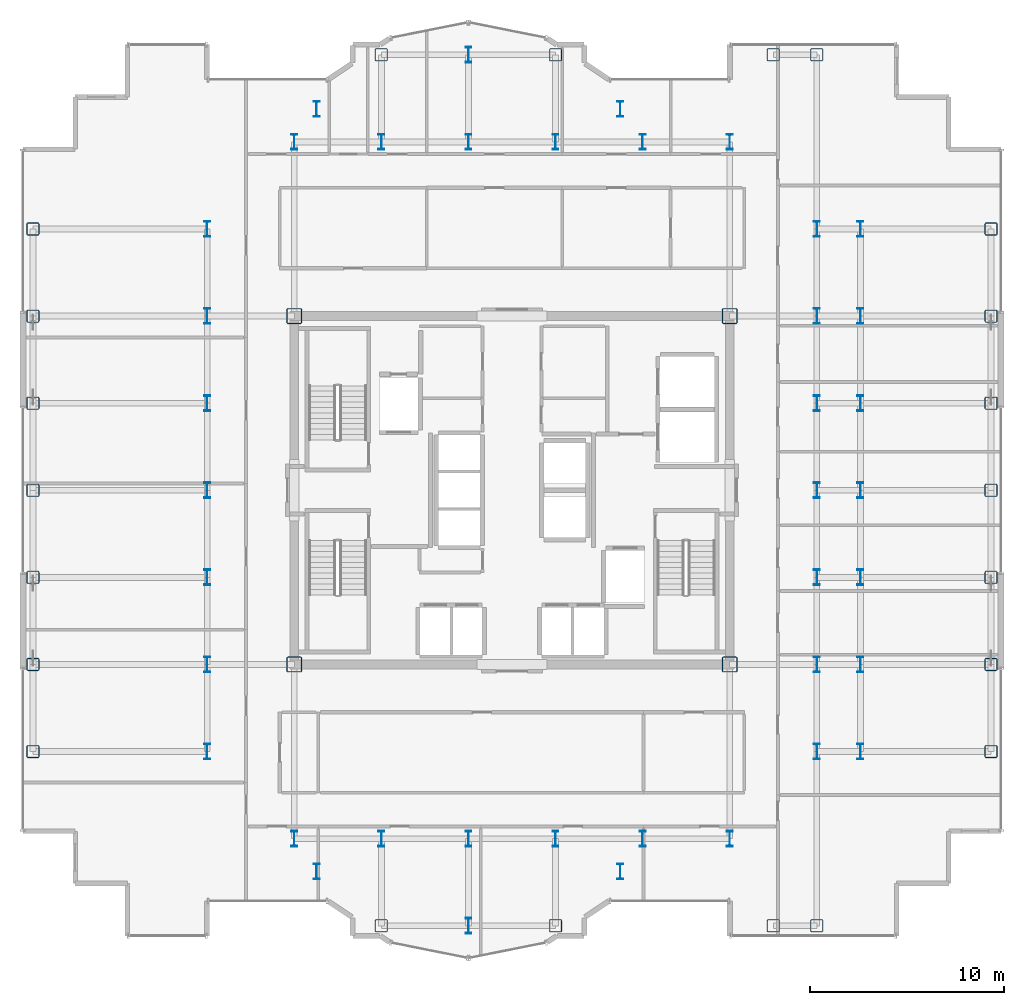
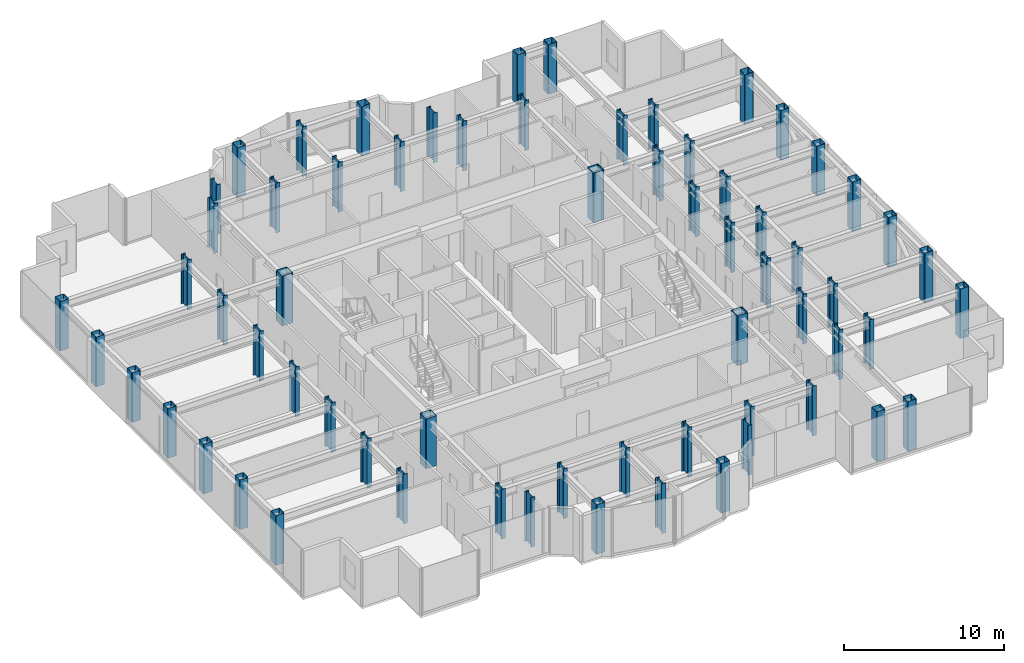
# One storey, part 1 of 21: 65 columns.
"""IFC4 building model written with IfcOpenShell, lengths in metres."""

import ifcopenshell
import ifcopenshell.guid

model = None  # the IFC model being written
_history = None  # IfcOwnerHistory: only IFC2X3 demands one
_inside = {}  # id of a spatial element -> (the spatial element, [elements in it])
_under = {}  # id of a project, library or spatial element -> (it, [spatial elements below it])
_declared = {}  # id of a project -> (the project, [libraries it declares])
_typed = {}  # id of a type object -> (the type object, [elements of that type])
_made_of = {}  # id of a material, layer set ... -> (it, [elements and type objects made of it])


def new_model(schema):
    """Start an empty IFC model of exactly this schema.

    Asked for "IFC4X3", IfcOpenShell would pick the latest addendum, in which some entities
    have other attributes; the version numbers below select the first issue.
    IFC2X3 requires an IfcOwnerHistory on every rooted entity: one is made here for all.
    """
    global model, _history
    if schema == "IFC4X3":
        model = ifcopenshell.file(schema_version=(4, 3, 0, 0))
    else:
        model = ifcopenshell.file(schema=schema)
    _inside.clear()
    _under.clear()
    _declared.clear()
    _typed.clear()
    _made_of.clear()
    _history = None
    if model.schema == "IFC2X3":
        org = make("IfcOrganization", Name="unknown")
        user = make(
            "IfcPersonAndOrganization",
            ThePerson=make("IfcPerson", FamilyName="unknown"),
            TheOrganization=org,
        )
        app = make(
            "IfcApplication",
            ApplicationDeveloper=org,
            Version="unknown",
            ApplicationFullName="unknown",
            ApplicationIdentifier="unknown",
        )
        _history = make(
            "IfcOwnerHistory",
            OwningUser=user,
            OwningApplication=app,
            ChangeAction="ADDED",
            CreationDate=0,
        )
    return model


def make(cls, **values):
    """One entity of the class cls with the attributes given. An attribute that is None is left unset."""
    return model.create_entity(
        cls, **{name: value for name, value in values.items() if value is not None}
    )


def rooted(cls, **values):
    """An entity with a GlobalId (a new one), such as an element, a storey or a relation."""
    return make(cls, GlobalId=ifcopenshell.guid.new(), OwnerHistory=_history, **values)


def si_unit(unit_type, name, prefix=None):
    """IfcSIUnit, for example si_unit("LENGTHUNIT", "METRE", prefix="MILLI")."""
    return make("IfcSIUnit", UnitType=unit_type, Prefix=prefix, Name=name)


def assignment(units):
    """IfcUnitAssignment: the units of a project."""
    return None if units is None else make("IfcUnitAssignment", Units=units)


def point(xyz):
    """IfcCartesianPoint."""
    return None if xyz is None else make("IfcCartesianPoint", Coordinates=xyz)


def direction(xyz):
    """IfcDirection."""
    return None if xyz is None else make("IfcDirection", DirectionRatios=xyz)


def frame(location, z_axis=None, x_axis=None):
    """IfcAxis2Placement3D, a coordinate frame: its origin and axes. An axis left out is left unset."""
    return make(
        "IfcAxis2Placement3D",
        Location=point(location),
        Axis=direction(z_axis),
        RefDirection=direction(x_axis),
    )


def frame_2d(location, x_axis=None):
    """IfcAxis2Placement2D, a coordinate frame in the plane: its origin and x axis."""
    return make(
        "IfcAxis2Placement2D", Location=point(location), RefDirection=direction(x_axis)
    )


def origin():
    """The frame at (0, 0, 0) with its axes left unset."""
    return frame((0.0, 0.0, 0.0))


def origin_2d():
    """The frame at (0, 0) in the plane with its x axis left unset."""
    return frame_2d((0.0, 0.0))


def place(relative_to, where):
    """IfcLocalPlacement: puts the frame where relative to a parent placement (None: the world)."""
    return make(
        "IfcLocalPlacement", PlacementRelTo=relative_to, RelativePlacement=where
    )


def context(
    kind, dimensions, precision=None, world=None, true_north=None, identifier=None
):
    """IfcGeometricRepresentationContext, for example the 3D "Model" context."""
    return make(
        "IfcGeometricRepresentationContext",
        ContextIdentifier=identifier,
        ContextType=kind,
        CoordinateSpaceDimension=dimensions,
        Precision=precision,
        WorldCoordinateSystem=world,
        TrueNorth=true_north,
    )


def subcontext(parent, identifier, kind, view, scale=None):
    """IfcGeometricRepresentationSubContext, for example "Body" below "Model"."""
    return make(
        "IfcGeometricRepresentationSubContext",
        ContextIdentifier=identifier,
        ContextType=kind,
        ParentContext=parent,
        TargetScale=scale,
        TargetView=view,
    )


def project(units=None, contexts=None):
    """IfcProject with its units and contexts."""
    return rooted(
        "IfcProject",
        Name="project",
        RepresentationContexts=contexts,
        UnitsInContext=assignment(units),
    )


def spatial(cls, under=None, at=None, **own):
    """A site, building, storey or space (cls), placed at a placement, below another one or the project."""
    s = rooted(cls, ObjectPlacement=at, **own)
    if under is not None:
        _under.setdefault(under.id(), (under, []))[1].append(s)
    return s


def profile(cls, at=None, kind="AREA", **sizes):
    """A parametric profile (cls). Its sizes go by their IFC names, for example OverallWidth=200.0."""
    return make(cls, ProfileType=kind, Position=at, **sizes)


def hollow_rectangle(**sizes):
    """IfcRectangleHollowProfileDef."""
    return profile("IfcRectangleHollowProfileDef", **sizes)


def i_section(**sizes):
    """IfcIShapeProfileDef."""
    return profile("IfcIShapeProfileDef", **sizes)


def extrude(swept, where, along, depth):
    """IfcExtrudedAreaSolid: the profile swept, set in the frame where, extruded along a direction by depth."""
    return make(
        "IfcExtrudedAreaSolid",
        SweptArea=swept,
        Position=where,
        ExtrudedDirection=direction(along),
        Depth=depth,
    )


def shape(context_of_items, identifier, shape_type, items):
    """IfcShapeRepresentation: the items that make up one representation, for example the "Body"."""
    return make(
        "IfcShapeRepresentation",
        ContextOfItems=context_of_items,
        RepresentationIdentifier=identifier,
        RepresentationType=shape_type,
        Items=items,
    )


def source(mapping_origin, context_of_items, identifier, shape_type, items):
    """IfcRepresentationMap: a shape defined once, which mapped items show again and again."""
    return make(
        "IfcRepresentationMap",
        MappingOrigin=mapping_origin,
        MappedRepresentation=shape(context_of_items, identifier, shape_type, items),
    )


def transform(
    local_origin,
    x_axis=None,
    y_axis=None,
    z_axis=None,
    scale=None,
    scale2=None,
    scale3=None,
    uniform=True,
):
    """IfcCartesianTransformationOperator3D, or its non-uniform kind. x_axis, y_axis, z_axis: its Axis1, 2, 3."""
    if uniform:
        return make(
            "IfcCartesianTransformationOperator3D",
            Axis1=direction(x_axis),
            Axis2=direction(y_axis),
            LocalOrigin=point(local_origin),
            Scale=scale,
            Axis3=direction(z_axis),
        )
    return make(
        "IfcCartesianTransformationOperator3DnonUniform",
        Axis1=direction(x_axis),
        Axis2=direction(y_axis),
        LocalOrigin=point(local_origin),
        Scale=scale,
        Axis3=direction(z_axis),
        Scale2=scale2,
        Scale3=scale3,
    )


def mapped(mapping_source, mapping_target):
    """IfcMappedItem: shows the shape of a source again, moved by a transform."""
    return make(
        "IfcMappedItem", MappingSource=mapping_source, MappingTarget=mapping_target
    )


def material(Name=None, Category=None):
    """IfcMaterial."""
    return make("IfcMaterial", Name=Name, Category=Category)


def material_profile(
    of_material, cross_section, Name=None, Category=None, Priority=None
):
    """IfcMaterialProfile: a cross section and its material."""
    return make(
        "IfcMaterialProfile",
        Name=Name,
        Material=of_material,
        Profile=cross_section,
        Priority=Priority,
        Category=Category,
    )


def profile_set(profiles, Name=None, composite=None):
    """IfcMaterialProfileSet."""
    return make(
        "IfcMaterialProfileSet",
        Name=Name,
        MaterialProfiles=profiles,
        CompositeProfile=composite,
    )


def made_of(thing, what):
    """Note that an element or type object is made of a material, layer set ...; save() writes the relation."""
    if what is not None:
        _made_of.setdefault(what.id(), (what, []))[1].append(thing)
    return thing


def type_object(cls, material=None, **own):
    """A type object (cls), such as IfcWallType, which elements share."""
    return made_of(rooted(cls, **own), material)


def element(
    cls,
    number,
    at=None,
    inside=None,
    cuts=None,
    type_object=None,
    material=None,
    context=None,
    identifier="Body",
    shape_type=None,
    held_by="IfcProductDefinitionShape",
    body=None,
    shapes=None,
    **own,
):
    """One element of the class cls, such as IfcWall. Its Tag is "e" and its number.

    at: its placement. inside: the storey or other place that contains it. cuts: it is an
    opening in that element (IfcRelVoidsElement). A single representation is given by context,
    identifier, shape_type and body (its items); several are given by shapes. held_by: the class
    of the entity that holds the representations. save() writes the other relations.
    """
    e = rooted(cls, Tag="e%d" % number, ObjectPlacement=at, **own)
    if body is not None:
        shapes = [shape(context, identifier, shape_type, body)]
    if shapes is not None:
        e.Representation = make(held_by, Representations=shapes)
    if inside is not None:
        _inside.setdefault(inside.id(), (inside, []))[1].append(e)
    if cuts is not None:
        rooted(
            "IfcRelVoidsElement", RelatingBuildingElement=cuts, RelatedOpeningElement=e
        )
    if type_object is not None:
        _typed.setdefault(type_object.id(), (type_object, []))[1].append(e)
    return made_of(e, material)


def aggregate(whole, parts):
    """IfcRelAggregates: a whole, such as a stair, and the parts it consists of."""
    return rooted("IfcRelAggregates", RelatingObject=whole, RelatedObjects=parts)


def save(model, path):
    """Write the relations noted so far, then the file.

    IfcRelAggregates (storeys below a building ...), IfcRelContainedInSpatialStructure (elements
    in a storey), IfcRelDefinesByType, IfcRelAssociatesMaterial and IfcRelDeclares: one each for
    every whole, place, type object, material and project.
    """
    for whole, parts in _under.values():
        aggregate(whole, parts)
    for where, things in _inside.values():
        rooted(
            "IfcRelContainedInSpatialStructure",
            RelatedElements=things,
            RelatingStructure=where,
        )
    for kind, things in _typed.values():
        rooted("IfcRelDefinesByType", RelatedObjects=things, RelatingType=kind)
    for what, things in _made_of.values():
        rooted("IfcRelAssociatesMaterial", RelatedObjects=things, RelatingMaterial=what)
    for by, libraries in _declared.values():
        rooted("IfcRelDeclares", RelatingContext=by, RelatedDefinitions=libraries)
    model.write(path)


model = new_model("IFC4")

# Units and contexts
model_context = context("Model", 3, precision=1e-05, world=origin(), true_north=direction((0.0, 1.0)))
body_context = subcontext(model_context, "Body", "Model", "MODEL_VIEW")
ifc_project = project(units=[si_unit("LENGTHUNIT", "METRE"), si_unit("AREAUNIT", "SQUARE_METRE"), si_unit("VOLUMEUNIT", "CUBIC_METRE"), si_unit("PLANEANGLEUNIT", "RADIAN"), si_unit("MASSUNIT", "GRAM", prefix="KILO")], contexts=[model_context])

# Site, building, storey
site_placement = place(None, origin())
site = spatial("IfcSite", under=ifc_project, at=site_placement, CompositionType="ELEMENT")
building_placement = place(site_placement, origin())
building = spatial("IfcBuilding", under=site, at=building_placement, Name="Nefas-Gora Pilgrimage Tower", CompositionType="ELEMENT")
storey_placement = place(building_placement, frame((0.0, 0.0, 252.199951171875)))
storey = spatial("IfcBuildingStorey", under=building, at=storey_placement, Name="L63", CompositionType="ELEMENT", Elevation=252.199951171875)

# Columns
ifc_material = material(Name="Steel S460", Category="steel")
ifc_material_profile_1 = material_profile(ifc_material, i_section(OverallWidth=0.302978515625, OverallDepth=0.81396484375, WebThickness=0.02099609375, FlangeThickness=0.0400390625, FilletRadius=0.030029296875, at=origin_2d()), Name="HEM 800")
ifc_profile_set_1 = profile_set([ifc_material_profile_1], Name="Steel S460")
column_type_1 = type_object("IfcColumnType", Name="COL-WEB-HEM800", PredefinedType="COLUMN", material=ifc_profile_set_1)
shared_shape_1 = source(origin(), body_context, "Body", "SweptSolid", [
    extrude(i_section(OverallWidth=0.302978515625, OverallDepth=0.81396484375, WebThickness=0.02099609375, FlangeThickness=0.0400390625, FilletRadius=0.030029296875, at=origin_2d()), origin(), (0.0, 0.0, 1.0), 3.800048828125),
])
for number, where, z_axis, x_axis, name in (
    (1, (-15.75, -13.5, 0.0), (0.0, 0.0, 1.0), (1.0, 0.0, 0.0), "L63 Tower Column CW-02.8"),
    (2, (-15.75, -9.0, 0.0), (0.0, 0.0, 1.0), (1.0, 0.0, 0.0), "L63 Tower Column CW-02.9"),
    (3, (-15.75, -4.5, 0.0), (0.0, 0.0, 1.0), (1.0, 0.0, 0.0), "L63 Tower Column CW-02.10"),
    (4, (-15.75, 0.0, 0.0), (0.0, 0.0, 1.0), (1.0, 0.0, 0.0), "L63 Tower Column CW-02.11"),
    (5, (-15.75, 4.5, 0.0), (0.0, 0.0, 1.0), (1.0, 0.0, 0.0), "L63 Tower Column CW-02.12"),
    (6, (-15.75, 9.0, 0.0), (0.0, 0.0, 1.0), (1.0, 0.0, 0.0), "L63 Tower Column CW-02.13"),
    (7, (-15.75, 13.5, 0.0), (0.0, 0.0, 1.0), (1.0, 0.0, 0.0), "L63 Tower Column CW-02.14"),
    (8, (-11.25, -18.0, 0.0), (0.0, 0.0, 1.0), (1.0, 0.0, 0.0), "L63 Tower Column CW-02.15"),
    (9, (-11.25, 18.0, 0.0), (0.0, 0.0, 1.0), (1.0, 0.0, 0.0), "L63 Tower Column CW-02.18"),
    (10, (-10.091064453125, -19.696044921875, 0.0), (0.0, 0.0, 1.0), (1.0, 0.0, 0.0), "L63 Tower Column CW-02.19"),
    (11, (-10.091064453125, 19.696044921875, 0.0), (0.0, 0.0, 1.0), (1.0, 0.0, 0.0), "L63 Tower Column CW-02.20"),
    (12, (-6.75, -18.0, 0.0), (0.0, 0.0, 1.0), (1.0, 0.0, 0.0), "L63 Tower Column CW-02.22"),
    (13, (-6.75, 18.0, 0.0), (0.0, 0.0, 1.0), (1.0, 0.0, 0.0), "L63 Tower Column CW-02.23"),
    (14, (-2.25, -22.5, 0.0), (0.0, 0.0, 1.0), (1.0, 0.0, 0.0), "L63 Tower Column CW-02.25"),
    (15, (-2.25, -18.0, 0.0), (0.0, 0.0, 1.0), (1.0, 0.0, 0.0), "L63 Tower Column CW-02.26"),
    (16, (-2.25, 18.0, 0.0), (0.0, 0.0, 1.0), (1.0, 0.0, 0.0), "L63 Tower Column CW-02.27"),
    (17, (-2.25, 22.5, 0.0), (0.0, 0.0, 1.0), (1.0, 0.0, 0.0), "L63 Tower Column CW-02.28"),
    (18, (2.25, -18.0, 0.0), (0.0, 0.0, 1.0), (1.0, 0.0, 0.0), "L63 Tower Column CW-02.30"),
    (19, (2.25, 18.0, 0.0), (0.0, 0.0, 1.0), (1.0, 0.0, 0.0), "L63 Tower Column CW-02.31"),
    (20, (5.591064453125, -19.696044921875, 0.0), (0.0, 0.0, 1.0), (1.0, 0.0, 0.0), "L63 Tower Column CW-02.33"),
    (21, (5.591064453125, 19.696044921875, 0.0), (0.0, 0.0, 1.0), (1.0, 0.0, 0.0), "L63 Tower Column CW-02.34"),
    (22, (6.75, -18.0, 0.0), (0.0, 0.0, 1.0), (1.0, 0.0, 0.0), "L63 Tower Column CW-02.35"),
    (23, (6.75, 18.0, 0.0), (0.0, 0.0, 1.0), (1.0, 0.0, 0.0), "L63 Tower Column CW-02.36"),
    (24, (11.25, -18.0, 0.0), (0.0, 0.0, 1.0), (1.0, 0.0, 0.0), "L63 Tower Column CW-02.37"),
    (25, (11.25, 18.0, 0.0), (0.0, 0.0, 1.0), (1.0, 0.0, 0.0), "L63 Tower Column CW-02.40"),
    (26, (15.75, -13.5, 0.0), (0.0, 0.0, 1.0), (1.0, 0.0, 0.0), "L63 Tower Column CW-02.44"),
    (27, (15.75, -9.0, 0.0), (0.0, 0.0, 1.0), (1.0, 0.0, 0.0), "L63 Tower Column CW-02.45"),
    (28, (15.75, -4.5, 0.0), (0.0, 0.0, 1.0), (1.0, 0.0, 0.0), "L63 Tower Column CW-02.46"),
    (29, (15.75, 0.0, 0.0), (0.0, 0.0, 1.0), (1.0, 0.0, 0.0), "L63 Tower Column CW-02.47"),
    (30, (15.75, 4.5, 0.0), (0.0, 0.0, 1.0), (1.0, 0.0, 0.0), "L63 Tower Column CW-02.48"),
    (31, (15.75, 9.0, 0.0), (0.0, 0.0, 1.0), (1.0, 0.0, 0.0), "L63 Tower Column CW-02.49"),
    (32, (15.75, 13.5, 0.0), (0.0, 0.0, 1.0), (1.0, 0.0, 0.0), "L63 Tower Column CW-02.50"),
    (33, (18.0, -13.5, 0.0), (0.0, 0.0, 1.0), (1.0, 0.0, 0.0), "L63 Tower Column CW-02.52"),
    (34, (18.0, -9.0, 0.0), (0.0, 0.0, 1.0), (1.0, 0.0, 0.0), "L63 Tower Column CW-02.53"),
    (35, (18.0, -4.5, 0.0), (0.0, 0.0, 1.0), (1.0, 0.0, 0.0), "L63 Tower Column CW-02.54"),
    (36, (18.0, 0.0, 0.0), (0.0, 0.0, 1.0), (1.0, 0.0, 0.0), "L63 Tower Column CW-02.55"),
    (37, (18.0, 4.5, 0.0), (0.0, 0.0, 1.0), (1.0, 0.0, 0.0), "L63 Tower Column CW-02.56"),
    (38, (18.0, 9.0, 0.0), (0.0, 0.0, 1.0), (1.0, 0.0, 0.0), "L63 Tower Column CW-02.57"),
    (39, (18.0, 13.5, 0.0), (0.0, 0.0, 1.0), (1.0, 0.0, 0.0), "L63 Tower Column CW-02.58"),
):
    element("IfcColumn", number, at=place(storey_placement, frame(where, z_axis=z_axis, x_axis=x_axis)), inside=storey, type_object=column_type_1, Name=name, PredefinedType="COLUMN", context=body_context, shape_type="MappedRepresentation", body=[
        mapped(shared_shape_1, transform((0.0, 0.0, 0.0), x_axis=(1.0, 0.0, 0.0), y_axis=(0.0, 1.0, 0.0), z_axis=(0.0, 0.0, 1.0), scale=1.0)),
    ])
ifc_material_profile_2 = material_profile(ifc_material, hollow_rectangle(XDim=0.800048828125, YDim=0.800048828125, WallThickness=0.0400390625, InnerFilletRadius=0.0400390625, OuterFilletRadius=0.080078125, at=origin_2d()), Name="BOX 800x800x40")
ifc_profile_set_2 = profile_set([ifc_material_profile_2], Name="Steel S460")
column_type_2 = type_object("IfcColumnType", Name="COL-CORE-800", PredefinedType="COLUMN", material=ifc_profile_set_2)
shared_shape_2 = source(origin(), body_context, "Body", "SweptSolid", [
    extrude(hollow_rectangle(XDim=0.800048828125, YDim=0.800048828125, WallThickness=0.0400390625, InnerFilletRadius=0.0400390625, OuterFilletRadius=0.080078125, at=origin_2d()), origin(), (0.0, 0.0, 1.0), 3.800048828125),
])
for number, where, z_axis, x_axis, name in (
    (40, (-11.25, -9.0, 0.0), (0.0, 0.0, 1.0), (1.0, 0.0, 0.0), "L63 Tower Column CC-Z2.16"),
    (41, (-11.25, 9.0, 0.0), (0.0, 0.0, 1.0), (1.0, 0.0, 0.0), "L63 Tower Column CC-Z2.17"),
    (42, (11.25, -9.0, 0.0), (0.0, 0.0, 1.0), (1.0, 0.0, 0.0), "L63 Tower Column CC-Z2.38"),
    (43, (11.25, 9.0, 0.0), (0.0, 0.0, 1.0), (1.0, 0.0, 0.0), "L63 Tower Column CC-Z2.39"),
):
    element("IfcColumn", number, at=place(storey_placement, frame(where, z_axis=z_axis, x_axis=x_axis)), inside=storey, type_object=column_type_2, Name=name, PredefinedType="COLUMN", context=body_context, shape_type="MappedRepresentation", body=[
        mapped(shared_shape_2, transform((0.0, 0.0, 0.0), x_axis=(1.0, 0.0, 0.0), y_axis=(0.0, 1.0, 0.0), z_axis=(0.0, 0.0, 1.0), scale=1.0)),
    ])
ifc_material_profile_3 = material_profile(ifc_material, hollow_rectangle(XDim=0.64990234375, YDim=0.64990234375, WallThickness=0.031982421875, InnerFilletRadius=0.031982421875, OuterFilletRadius=0.06396484375, at=origin_2d()), Name="BOX 650x650x32")
ifc_profile_set_3 = profile_set([ifc_material_profile_3], Name="Steel S460")
column_type_3 = type_object("IfcColumnType", Name="COL-TUBE-650", PredefinedType="COLUMN", material=ifc_profile_set_3)
shared_shape_3 = source(origin(), body_context, "Body", "SweptSolid", [
    extrude(hollow_rectangle(XDim=0.64990234375, YDim=0.64990234375, WallThickness=0.031982421875, InnerFilletRadius=0.031982421875, OuterFilletRadius=0.06396484375, at=origin_2d()), origin(), (0.0, 0.0, 1.0), 3.800048828125),
])
for number, where, z_axis, x_axis, name in (
    (44, (-24.75, -13.5, 0.0), (0.0, 0.0, 1.0), (1.0, 0.0, 0.0), "L63 Tower Column C-Z3.1"),
    (45, (-24.75, -9.0, 0.0), (0.0, 0.0, 1.0), (1.0, 0.0, 0.0), "L63 Tower Column C-Z3.2"),
    (46, (-24.75, -4.5, 0.0), (0.0, 0.0, 1.0), (1.0, 0.0, 0.0), "L63 Tower Column C-Z3.3"),
    (47, (-24.75, 0.0, 0.0), (0.0, 0.0, 1.0), (1.0, 0.0, 0.0), "L63 Tower Column C-Z3.4"),
    (48, (-24.75, 4.5, 0.0), (0.0, 0.0, 1.0), (1.0, 0.0, 0.0), "L63 Tower Column C-Z3.5"),
    (49, (-24.75, 9.0, 0.0), (0.0, 0.0, 1.0), (1.0, 0.0, 0.0), "L63 Tower Column C-Z3.6"),
    (50, (-24.75, 13.5, 0.0), (0.0, 0.0, 1.0), (1.0, 0.0, 0.0), "L63 Tower Column C-Z3.7"),
    (51, (-6.75, -22.5, 0.0), (0.0, 0.0, 1.0), (1.0, 0.0, 0.0), "L63 Tower Column C-Z3.21"),
    (52, (-6.75, 22.5, 0.0), (0.0, 0.0, 1.0), (1.0, 0.0, 0.0), "L63 Tower Column C-Z3.24"),
    (53, (2.25, -22.5, 0.0), (0.0, 0.0, 1.0), (1.0, 0.0, 0.0), "L63 Tower Column C-Z3.29"),
    (54, (2.25, 22.5, 0.0), (0.0, 0.0, 1.0), (1.0, 0.0, 0.0), "L63 Tower Column C-Z3.32"),
    (55, (13.5, -22.5, 0.0), (0.0, 0.0, 1.0), (1.0, 0.0, 0.0), "L63 Tower Column C-Z3.41"),
    (56, (13.5, 22.5, 0.0), (0.0, 0.0, 1.0), (1.0, 0.0, 0.0), "L63 Tower Column C-Z3.42"),
    (57, (15.75, -22.5, 0.0), (0.0, 0.0, 1.0), (1.0, 0.0, 0.0), "L63 Tower Column C-Z3.43"),
    (58, (15.75, 22.5, 0.0), (0.0, 0.0, 1.0), (1.0, 0.0, 0.0), "L63 Tower Column C-Z3.51"),
    (59, (24.75, -13.5, 0.0), (0.0, 0.0, 1.0), (1.0, 0.0, 0.0), "L63 Tower Column C-Z3.59"),
    (60, (24.75, -9.0, 0.0), (0.0, 0.0, 1.0), (1.0, 0.0, 0.0), "L63 Tower Column C-Z3.60"),
    (61, (24.75, -4.5, 0.0), (0.0, 0.0, 1.0), (1.0, 0.0, 0.0), "L63 Tower Column C-Z3.61"),
    (62, (24.75, 0.0, 0.0), (0.0, 0.0, 1.0), (1.0, 0.0, 0.0), "L63 Tower Column C-Z3.62"),
    (63, (24.75, 4.5, 0.0), (0.0, 0.0, 1.0), (1.0, 0.0, 0.0), "L63 Tower Column C-Z3.63"),
    (64, (24.75, 9.0, 0.0), (0.0, 0.0, 1.0), (1.0, 0.0, 0.0), "L63 Tower Column C-Z3.64"),
    (65, (24.75, 13.5, 0.0), (0.0, 0.0, 1.0), (1.0, 0.0, 0.0), "L63 Tower Column C-Z3.65"),
):
    element("IfcColumn", number, at=place(storey_placement, frame(where, z_axis=z_axis, x_axis=x_axis)), inside=storey, type_object=column_type_3, Name=name, PredefinedType="COLUMN", context=body_context, shape_type="MappedRepresentation", body=[
        mapped(shared_shape_3, transform((0.0, 0.0, 0.0), x_axis=(1.0, 0.0, 0.0), y_axis=(0.0, 1.0, 0.0), z_axis=(0.0, 0.0, 1.0), scale=1.0)),
    ])

save(model, "model.ifc")
